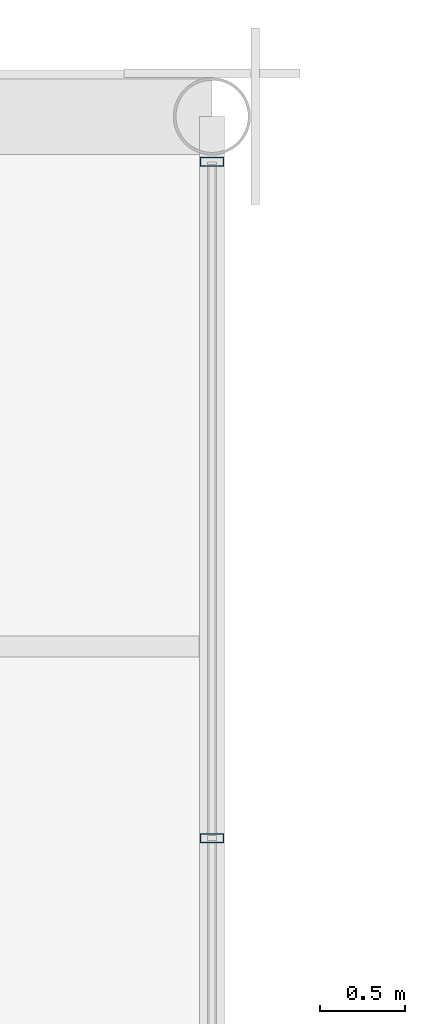
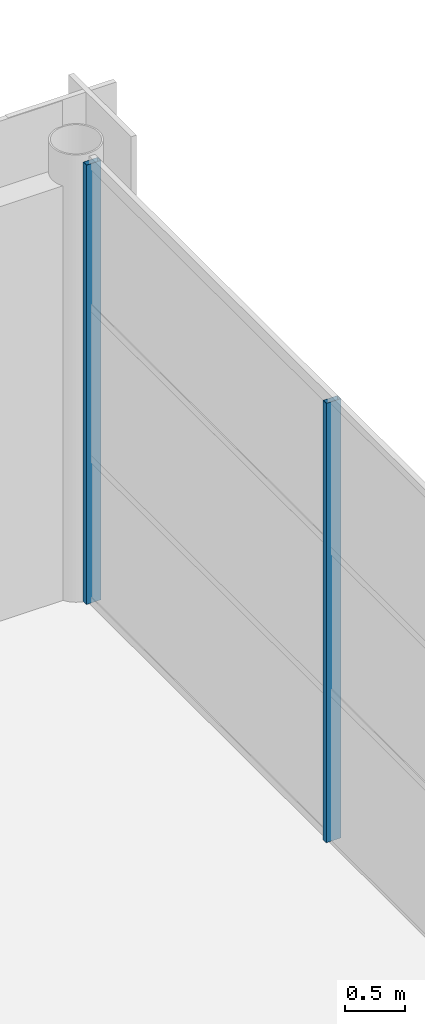
# One storey, part 49 of 112: 2 members, 1 element without a shape of its own.
"""IFC4 building model written with IfcOpenShell, lengths in metres."""

from ifc_helpers import new_model, si_unit, direction, frame, origin, origin_2d, place, context, subcontext, project, spatial, hollow_rectangle, extrude, material, material_profile, profile_set, type_object, element, aggregate, save


model = new_model("IFC4")

# Units and contexts
model_context = context("Model", 3, precision=1e-05, world=origin(), true_north=direction((0.0, 1.0)))
body_context = subcontext(model_context, "Body", "Model", "MODEL_VIEW")
ifc_project = project(units=[si_unit("LENGTHUNIT", "METRE"), si_unit("AREAUNIT", "SQUARE_METRE"), si_unit("VOLUMEUNIT", "CUBIC_METRE"), si_unit("PLANEANGLEUNIT", "RADIAN"), si_unit("MASSUNIT", "GRAM", prefix="KILO")], contexts=[model_context])

# Site, building, storey
site_placement = place(None, origin())
site = spatial("IfcSite", under=ifc_project, at=site_placement, CompositionType="ELEMENT")
building_placement = place(site_placement, origin())
building = spatial("IfcBuilding", under=site, at=building_placement, Name="Solvikara Media Centre", CompositionType="ELEMENT")
storey_placement = place(building_placement, frame((0.0, 0.0, 5.39990234375)))
storey = spatial("IfcBuildingStorey", under=building, at=storey_placement, Name="L01", CompositionType="ELEMENT", Elevation=5.39990234375)

# Curtain wall, members
ifc_material = material(Name="Anodised aluminium EN AW-6063", Category="aluminium")
curtain_wall_type = type_object("IfcCurtainWallType", Name="CW-08", PredefinedType="NOTDEFINED", material=ifc_material)
curtain_wall_placement = place(storey_placement, origin())
curtain_wall = element("IfcCurtainWall", 1, at=curtain_wall_placement, inside=storey, type_object=curtain_wall_type, Name="CW-L01-V3E-S3", PredefinedType="NOTDEFINED")
ifc_material_profile = material_profile(ifc_material, hollow_rectangle(XDim=0.054931640625, YDim=0.139892578125, WallThickness=0.0029296875, at=origin_2d()), Name="ALU-M 55x140x3")
ifc_profile_set = profile_set([ifc_material_profile], Name="Anodised aluminium EN AW-6063")
member_type = type_object("IfcMemberType", Name="MF-05", PredefinedType="MULLION", material=ifc_profile_set)
member_1_placement = place(storey_placement, frame((34.0, 109.743896484375, 0.02001953125), z_axis=(0.0, 0.0, 1.0), x_axis=(0.0, 1.0, 0.0)))
member_1 = element("IfcMember", 2, at=member_1_placement, type_object=member_type, Name="CW-L01-V3E-S3-M02", PredefinedType="MULLION", context=body_context, shape_type="SweptSolid", body=[
    extrude(hollow_rectangle(XDim=0.054931640625, YDim=0.139892578125, WallThickness=0.0029296875, at=origin_2d()), origin(), (0.0, 0.0, 1.0), 4.4599609375),
])
member_2_placement = place(storey_placement, frame((34.0, 113.73193359375, 0.02001953125), z_axis=(0.0, 0.0, 1.0), x_axis=(0.0, 1.0, 0.0)))
member_2 = element("IfcMember", 3, at=member_2_placement, type_object=member_type, Name="CW-L01-V3E-S3-M03", PredefinedType="MULLION", context=body_context, shape_type="SweptSolid", body=[
    extrude(hollow_rectangle(XDim=0.054931640625, YDim=0.139892578125, WallThickness=0.0029296875, at=origin_2d()), origin(), (0.0, 0.0, 1.0), 4.4599609375),
])
aggregate(curtain_wall, [member_1, member_2])

save(model, "model.ifc")
